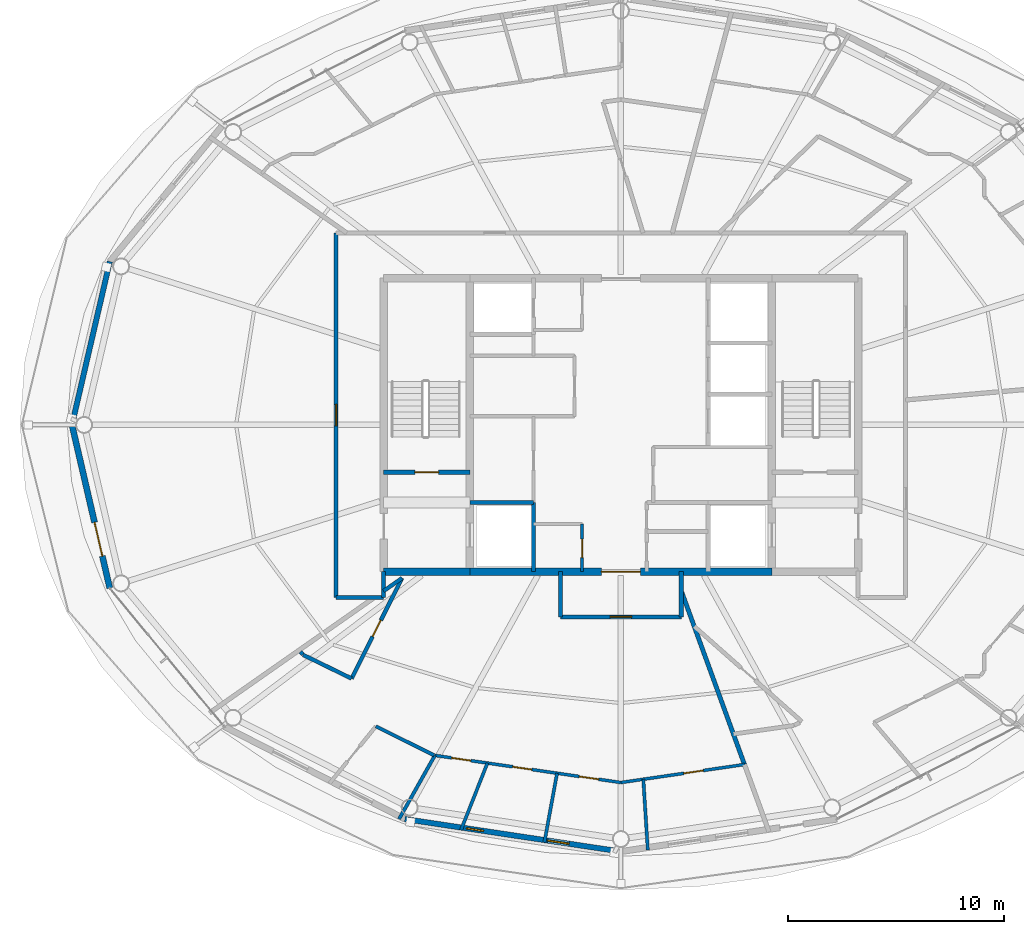
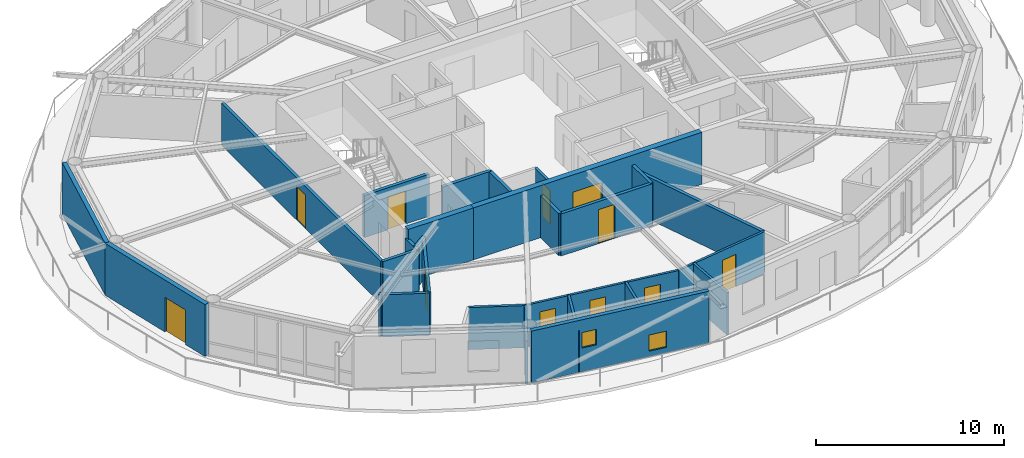
# One storey, part 16 of 23: 27 walls, 11 doors, 2 windows, 13 openings.
"""IFC4 building model written with IfcOpenShell, lengths in metres."""

from ifc_helpers import new_model, si_unit, direction, frame, frame_2d, origin, place, context, subcontext, project, spatial, rectangle, extrude, material, layer, layer_set, type_object, element, fill, save


model = new_model("IFC4")

# Units and contexts
model_context = context("Model", 3, precision=1e-05, world=origin(), true_north=direction((0.0, 1.0)))
body_context = subcontext(model_context, "Body", "Model", "MODEL_VIEW")
ifc_project = project(units=[si_unit("LENGTHUNIT", "METRE"), si_unit("AREAUNIT", "SQUARE_METRE"), si_unit("VOLUMEUNIT", "CUBIC_METRE"), si_unit("PLANEANGLEUNIT", "RADIAN"), si_unit("MASSUNIT", "GRAM", prefix="KILO")], contexts=[model_context])

# Site, building, storey
site_placement = place(None, origin())
site = spatial("IfcSite", under=ifc_project, at=site_placement, CompositionType="ELEMENT")
building_placement = place(site_placement, origin())
building = spatial("IfcBuilding", under=site, at=building_placement, Name="Sarneth Arch Tower", CompositionType="ELEMENT")
storey_placement = place(building_placement, frame((0.0, 0.0, 273.0)))
storey = spatial("IfcBuildingStorey", under=building, at=storey_placement, Name="L70", CompositionType="ELEMENT", Elevation=273.0)

# Wall
ifc_material_1 = material(Name="Concrete C50/60", Category="concrete")
ifc_layer_1 = layer(ifc_material_1, 0.35009765625)
ifc_layer_set_1 = layer_set([ifc_layer_1], Name="Concrete C50/60")
wall_type_1 = type_object("IfcWallType", Name="WALL-CORE-350", PredefinedType="SHEAR", material=ifc_layer_set_1)
wall_1_placement = place(storey_placement, frame((37.0, 35.199951171875, 0.0), z_axis=(0.0, 0.0, 1.0), x_axis=(1.0, 0.0, 0.0)))
element("IfcWall", 1, at=wall_1_placement, inside=storey, type_object=wall_type_1, Name="L70 Core shear wall S-W", PredefinedType="SHEAR", context=body_context, shape_type="SweptSolid", body=[
    extrude(rectangle(XDim=4.0, YDim=0.35009765625, at=frame_2d((2.0, 0.0))), origin(), (0.0, 0.0, 1.0), 3.3701171875),
])

# Wall, opening, door
wall_2_placement = place(storey_placement, frame((41.0, 35.199951171875, 0.0), z_axis=(0.0, 0.0, 1.0), x_axis=(1.0, 0.0, 0.0)))
wall_2 = element("IfcWall", 2, at=wall_2_placement, inside=storey, type_object=wall_type_1, Name="L70 Core shear wall S-M", PredefinedType="SHEAR", context=body_context, shape_type="SweptSolid", body=[
    extrude(rectangle(XDim=14.0, YDim=0.35009765625, at=frame_2d((7.0, 0.0))), origin(), (0.0, 0.0, 1.0), 3.3701171875),
])
opening_1_placement = place(wall_2_placement, frame((6.10009765625, 0.0, 0.0)))
opening_1 = element("IfcOpeningElement", 3, at=opening_1_placement, cuts=wall_2, Name="Opening FD-01", PredefinedType="OPENING", context=body_context, shape_type="SweptSolid", body=[
    extrude(rectangle(XDim=1.800048828125, YDim=2.25, at=frame_2d((0.89990234375, 1.125))), frame((0.0, 0.18505859375, 0.0), z_axis=(0.0, -1.0, 0.0), x_axis=(1.0, 0.0, 0.0)), (0.0, 0.0, 1.0), 0.3701171875),
])
ifc_material_2 = material(Name="Galvanised Steel S275 fire door set", Category="steel")
door_type_1 = type_object("IfcDoorType", Name="DR-FD90-1800", OperationType="DOUBLE_DOOR_SINGLE_SWING", PredefinedType="DOOR", material=ifc_material_2)
door_1_placement = place(opening_1_placement, origin())
door_1 = element("IfcDoor", 4, at=door_1_placement, inside=storey, type_object=door_type_1, Name="L70 Central lift lobby south door", OperationType="DOUBLE_DOOR_SINGLE_SWING", OverallHeight=2.25, OverallWidth=1.800048828125, PredefinedType="DOOR", context=body_context, shape_type="SweptSolid", body=[
    extrude(rectangle(XDim=1.800048828125, YDim=2.25, at=frame_2d((0.89990234375, 1.125))), frame((0.0, 0.02490234375, 0.0), z_axis=(0.0, -1.0, 0.0), x_axis=(1.0, 0.0, 0.0)), (0.0, 0.0, 1.0), 0.050048828125),
])
fill(opening_1, door_1)

ifc_material_3 = material(Name="Double steel-stud corridor fire wall", Category="steel")
ifc_layer_2 = layer(ifc_material_3, 0.18994140625)
ifc_layer_set_2 = layer_set([ifc_layer_2], Name="Double steel-stud corridor fire wall")
wall_type_2 = type_object("IfcWallType", Name="WALL-CORR-190", PredefinedType="PARTITIONING", material=ifc_layer_set_2)
wall_3_placement = place(storey_placement, frame((34.800048828125, 34.0, 0.0), z_axis=(0.0, 0.0, 1.0), x_axis=(0.0, 1.0, 0.0)))
wall_3 = element("IfcWall", 5, at=wall_3_placement, inside=storey, type_object=wall_type_2, Name="L70 Interior partition W-L70-TP-008", PredefinedType="PARTITIONING", context=body_context, shape_type="SweptSolid", body=[
    extrude(rectangle(XDim=16.89990234375, YDim=0.18994140625, at=frame_2d((8.449951171875, 0.0))), origin(), (0.0, 0.0, 1.0), 2.72998046875),
])
opening_2_placement = place(wall_3_placement, frame((7.949951171875, 0.0, 0.0)))
opening_2 = element("IfcOpeningElement", 6, at=opening_2_placement, cuts=wall_3, Name="Opening FD-08", PredefinedType="OPENING", context=body_context, shape_type="SweptSolid", body=[
    extrude(rectangle(XDim=1.0, YDim=2.199951171875, at=frame_2d((0.5, 1.10009765625))), frame((0.0, 0.10498046875, 0.0), z_axis=(0.0, -1.0, 0.0), x_axis=(1.0, 0.0, 0.0)), (0.0, 0.0, 1.0), 0.2099609375),
])
ifc_material_4 = material(Name="Hardwood timber acoustic fire door", Category="wood")
door_type_2 = type_object("IfcDoorType", Name="DR-FD60-1000", OperationType="SINGLE_SWING_LEFT", PredefinedType="DOOR", material=ifc_material_4)
door_2_placement = place(opening_2_placement, origin())
door_2 = element("IfcDoor", 7, at=door_2_placement, inside=storey, type_object=door_type_2, Name="L70 Interior door DR-L70-RAMN-03", OperationType="SINGLE_SWING_LEFT", OverallHeight=2.199951171875, OverallWidth=1.0, PredefinedType="DOOR", context=body_context, shape_type="SweptSolid", body=[
    extrude(rectangle(XDim=1.0, YDim=2.199951171875, at=frame_2d((0.5, 1.10009765625))), frame((0.0, 0.02490234375, 0.0), z_axis=(0.0, -1.0, 0.0), x_axis=(1.0, 0.0, 0.0)), (0.0, 0.0, 1.0), 0.050048828125),
])
fill(opening_2, door_2)

wall_4_placement = place(storey_placement, frame((50.800048828125, 33.10009765625, 0.0), z_axis=(0.0, 0.0, 1.0), x_axis=(-1.0, 0.0, 0.0)))
wall_4 = element("IfcWall", 8, at=wall_4_placement, inside=storey, type_object=wall_type_2, Name="L70 Interior partition W-L70-TP-016", PredefinedType="PARTITIONING", context=body_context, shape_type="SweptSolid", body=[
    extrude(rectangle(XDim=5.60009765625, YDim=0.18994140625, at=frame_2d((2.800048828125, 0.0))), origin(), (0.0, 0.0, 1.0), 2.72998046875),
])
opening_3_placement = place(wall_4_placement, frame((2.300048828125, 0.0, 0.0)))
opening_3 = element("IfcOpeningElement", 9, at=opening_3_placement, cuts=wall_4, Name="Opening FD-08", PredefinedType="OPENING", context=body_context, shape_type="SweptSolid", body=[
    extrude(rectangle(XDim=1.0, YDim=2.199951171875, at=frame_2d((0.5, 1.10009765625))), frame((0.0, 0.10498046875, 0.0), z_axis=(0.0, -1.0, 0.0), x_axis=(1.0, 0.0, 0.0)), (0.0, 0.0, 1.0), 0.2099609375),
])
door_3_placement = place(opening_3_placement, origin())
door_3 = element("IfcDoor", 10, at=door_3_placement, inside=storey, type_object=door_type_2, Name="L70 Interior door DR-L70-U4-ENT", OperationType="SINGLE_SWING_LEFT", OverallHeight=2.199951171875, OverallWidth=1.0, PredefinedType="DOOR", context=body_context, shape_type="SweptSolid", body=[
    extrude(rectangle(XDim=1.0, YDim=2.199951171875, at=frame_2d((0.5, 1.10009765625))), frame((0.0, 0.02490234375, 0.0), z_axis=(0.0, -1.0, 0.0), x_axis=(1.0, 0.0, 0.0)), (0.0, 0.0, 1.0), 0.050048828125),
])
fill(opening_3, door_3)

# Walls
wall_5_placement = place(storey_placement, frame((45.199951171875, 33.10009765625, 0.0), z_axis=(0.0, 0.0, 1.0), x_axis=(0.0, 1.0, 0.0)))
element("IfcWall", 11, at=wall_5_placement, inside=storey, type_object=wall_type_2, Name="L70 Interior partition W-L70-TP-017", PredefinedType="PARTITIONING", context=body_context, shape_type="SweptSolid", body=[
    extrude(rectangle(XDim=2.099853515625, YDim=0.18994140625, at=frame_2d((1.0498046875, 0.0))), origin(), (0.0, 0.0, 1.0), 2.72998046875),
])
wall_6_placement = place(storey_placement, frame((37.0, 34.0, 0.0), z_axis=(0.0, 0.0, 1.0), x_axis=(-1.0, 0.0, 0.0)))
element("IfcWall", 12, at=wall_6_placement, inside=storey, type_object=wall_type_2, Name="L70 Interior partition W-L70-TP-007", PredefinedType="PARTITIONING", context=body_context, shape_type="SweptSolid", body=[
    extrude(rectangle(XDim=2.199951171875, YDim=0.18994140625, at=frame_2d((1.10009765625, 0.0))), origin(), (0.0, 0.0, 1.0), 2.72998046875),
])
wall_7_placement = place(storey_placement, frame((50.800048828125, 35.199951171875, 0.0), z_axis=(0.0, 0.0, 1.0), x_axis=(0.0, -1.0, 0.0)))
element("IfcWall", 13, at=wall_7_placement, inside=storey, type_object=wall_type_2, Name="L70 Interior partition W-L70-TP-015", PredefinedType="PARTITIONING", context=body_context, shape_type="SweptSolid", body=[
    extrude(rectangle(XDim=2.099853515625, YDim=0.18994140625, at=frame_2d((1.0498046875, 0.0))), origin(), (0.0, 0.0, 1.0), 2.72998046875),
])
wall_8_placement = place(storey_placement, frame((37.0, 35.199951171875, 0.0), z_axis=(0.0, 0.0, 1.0), x_axis=(0.0, -1.0, 0.0)))
element("IfcWall", 14, at=wall_8_placement, inside=storey, type_object=wall_type_2, Name="L70 Interior partition W-L70-TP-098", PredefinedType="PARTITIONING", context=body_context, shape_type="SweptSolid", body=[
    extrude(rectangle(XDim=1.199951171875, YDim=0.18994140625, at=frame_2d((0.60009765625, 0.0))), origin(), (0.0, 0.0, 1.0), 2.72998046875),
])
ifc_material_5 = material(Name="Extruded terracotta rainscreen on Concrete C40/50 backing", Category="masonry")
ifc_layer_3 = layer(ifc_material_5, 0.25)
ifc_layer_set_3 = layer_set([ifc_layer_3], Name="Extruded terracotta rainscreen on Concrete C40/50 backing")
wall_type_3 = type_object("IfcWallType", Name="WALL-EXT-SPAND-250", PredefinedType="SOLIDWALL", material=ifc_layer_set_3)
wall_9_placement = place(storey_placement, frame((24.30615234375, 49.569580078125, 0.0), z_axis=(0.0, 0.0, 1.0), x_axis=(-0.225635078214, -0.974211892495, 0.0)))
element("IfcWall", 15, at=wall_9_placement, inside=storey, type_object=wall_type_3, Name="L70 Terracotta perimeter wall 08", PredefinedType="SOLIDWALL", context=body_context, shape_type="SweptSolid", body=[
    extrude(rectangle(XDim=7.77001953125, YDim=0.25, at=frame_2d((3.885009765625, 0.0))), origin(), (0.0, 0.0, 1.0), 3.3701171875),
])

# Wall, openings, windows
wall_10_placement = place(storey_placement, frame((37.9873046875, 23.7255859375, 0.0), z_axis=(0.0, 0.0, 1.0), x_axis=(0.988882522213, -0.148698881169, 0.0)))
wall_10 = element("IfcWall", 16, at=wall_10_placement, inside=storey, type_object=wall_type_3, Name="L70 Terracotta perimeter wall 12", PredefinedType="SOLIDWALL", context=body_context, shape_type="SweptSolid", body=[
    extrude(rectangle(XDim=10.125244140625, YDim=0.25, at=frame_2d((5.0625, 0.0))), origin(), (0.0, 0.0, 1.0), 3.3701171875),
])
opening_4_placement = place(wall_10_placement, frame((2.884765625, 0.0, 1.5400390625)))
opening_4 = element("IfcOpeningElement", 17, at=opening_4_placement, cuts=wall_10, Name="Opening W-15", PredefinedType="OPENING", context=body_context, shape_type="SweptSolid", body=[
    extrude(rectangle(XDim=0.800048828125, YDim=1.0, at=frame_2d((0.39990234375, 0.5))), frame((0.0, 0.135009765625, 0.0), z_axis=(0.0, -1.0, 0.0), x_axis=(1.0, 0.0, 0.0)), (0.0, 0.0, 1.0), 0.27001953125),
])
opening_5_placement = place(wall_10_placement, frame((6.69580078125, 0.0, 0.35009765625)))
opening_5 = element("IfcOpeningElement", 18, at=opening_5_placement, cuts=wall_10, Name="Opening W-14", PredefinedType="OPENING", context=body_context, shape_type="SweptSolid", body=[
    extrude(rectangle(XDim=1.0, YDim=1.050048828125, at=frame_2d((0.5, 0.52490234375))), frame((0.0, 0.135009765625, 0.0), z_axis=(0.0, -1.0, 0.0), x_axis=(1.0, 0.0, 0.0)), (0.0, 0.0, 1.0), 0.27001953125),
])
ifc_material_6 = material(Name="Thermally broken Aluminium 6063-T6 and low-e laminated IGU", Category="aluminium")
window_type_1 = type_object("IfcWindowType", Name="WIN-TWR-1000x1050", PartitioningType="SINGLE_PANEL", PredefinedType="WINDOW", material=ifc_material_6)
window_1_placement = place(opening_5_placement, origin())
window_1 = element("IfcWindow", 19, at=window_1_placement, inside=storey, type_object=window_type_1, Name="L70 Dwelling bedroom window 04", OverallHeight=1.050048828125, OverallWidth=1.0, PartitioningType="SINGLE_PANEL", PredefinedType="WINDOW", context=body_context, shape_type="SweptSolid", body=[
    extrude(rectangle(XDim=1.0, YDim=1.050048828125, at=frame_2d((0.5, 0.52490234375))), frame((0.0, 0.030029296875, 0.0), z_axis=(0.0, -1.0, 0.0), x_axis=(1.0, 0.0, 0.0)), (0.0, 0.0, 1.0), 0.06005859375),
])
fill(opening_5, window_1)
ifc_material_7 = material(Name="Thermally broken Aluminium 6063-T6 and low-e laminated IGU", Category="aluminium")
window_type_2 = type_object("IfcWindowType", Name="WIN-TWR-800x1000", PartitioningType="SINGLE_PANEL", PredefinedType="WINDOW", material=ifc_material_7)
window_2_placement = place(opening_4_placement, origin())
window_2 = element("IfcWindow", 20, at=window_2_placement, inside=storey, type_object=window_type_2, Name="L70 Dwelling bedroom window 03", OverallHeight=1.0, OverallWidth=0.800048828125, PartitioningType="SINGLE_PANEL", PredefinedType="WINDOW", context=body_context, shape_type="SweptSolid", body=[
    extrude(rectangle(XDim=0.800048828125, YDim=1.0, at=frame_2d((0.39990234375, 0.5))), frame((0.0, 0.030029296875, 0.0), z_axis=(0.0, -1.0, 0.0), x_axis=(1.0, 0.0, 0.0)), (0.0, 0.0, 1.0), 0.06005859375),
])
fill(opening_4, window_2)

# Wall, opening, door
ifc_material_8 = material(Name="Extruded terracotta rainscreen on Concrete C40/50 backing", Category="masonry")
ifc_layer_4 = layer(ifc_material_8, 0.280029296875)
ifc_layer_set_4 = layer_set([ifc_layer_4], Name="Extruded terracotta rainscreen on Concrete C40/50 backing")
wall_type_4 = type_object("IfcWallType", Name="WALL-EXT-TERRA-280", PredefinedType="SOLIDWALL", material=ifc_layer_set_4)
wall_11_placement = place(storey_placement, frame((22.552978515625, 42.0, 0.0), z_axis=(0.0, 0.0, 1.0), x_axis=(0.225635078214, -0.974211892495, 0.0)))
wall_11 = element("IfcWall", 21, at=wall_11_placement, inside=storey, type_object=wall_type_4, Name="L70 Terracotta perimeter wall 09", PredefinedType="SOLIDWALL", context=body_context, shape_type="SweptSolid", body=[
    extrude(rectangle(XDim=7.77001953125, YDim=0.280029296875, at=frame_2d((3.885009765625, 0.0))), origin(), (0.0, 0.0, 1.0), 3.3701171875),
])
opening_6_placement = place(wall_11_placement, frame((4.64208984375, 0.0, 0.0)))
opening_6 = element("IfcOpeningElement", 22, at=opening_6_placement, cuts=wall_11, Name="Opening BD-1", PredefinedType="OPENING", context=body_context, shape_type="SweptSolid", body=[
    extrude(rectangle(XDim=1.60009765625, YDim=2.25, at=frame_2d((0.800048828125, 1.125))), frame((0.0, 0.14990234375, 0.0), z_axis=(0.0, -1.0, 0.0), x_axis=(1.0, 0.0, 0.0)), (0.0, 0.0, 1.0), 0.300048828125),
])
ifc_material_9 = material(Name="Thermally broken Aluminium 6063-T6 and laminated safety glass", Category="aluminium")
door_type_3 = type_object("IfcDoorType", Name="DR-BALC-GLZ-1600", OperationType="DOUBLE_DOOR_SINGLE_SWING", PredefinedType="DOOR", material=ifc_material_9)
door_4_placement = place(opening_6_placement, origin())
door_4 = element("IfcDoor", 23, at=door_4_placement, inside=storey, type_object=door_type_3, Name="L70 Balcony glazed door 09", OperationType="DOUBLE_DOOR_SINGLE_SWING", OverallHeight=2.25, OverallWidth=1.60009765625, PredefinedType="DOOR", context=body_context, shape_type="SweptSolid", body=[
    extrude(rectangle(XDim=1.60009765625, YDim=2.25, at=frame_2d((0.800048828125, 1.125))), frame((0.0, 0.02490234375, 0.0), z_axis=(0.0, -1.0, 0.0), x_axis=(1.0, 0.0, 0.0)), (0.0, 0.0, 1.0), 0.050048828125),
])
fill(opening_6, door_4)

ifc_material_10 = material(Name="Apartment internal stud partition", Category="gypsum")
ifc_layer_5 = layer(ifc_material_10, 0.139892578125)
ifc_layer_set_5 = layer_set([ifc_layer_5], Name="Apartment internal stud partition")
wall_type_5 = type_object("IfcWallType", Name="WALL-PART-140", PredefinedType="PARTITIONING", material=ifc_layer_set_5)
wall_12_placement = place(storey_placement, frame((53.73046875, 26.255615234375, 0.0), z_axis=(0.0, 0.0, 1.0), x_axis=(-0.989539000253, -0.144265612597, 0.0)))
wall_12 = element("IfcWall", 24, at=wall_12_placement, inside=storey, type_object=wall_type_5, Name="L70 Interior partition W-L70-TP-072", PredefinedType="PARTITIONING", context=body_context, shape_type="SweptSolid", body=[
    extrude(rectangle(XDim=5.791015625, YDim=0.139892578125, at=frame_2d((2.8955078125, 0.0))), origin(), (0.0, 0.0, 1.0), 2.72998046875),
])
opening_7_placement = place(wall_12_placement, frame((1.93603515625, 0.0, 0.0)))
opening_7 = element("IfcOpeningElement", 25, at=opening_7_placement, cuts=wall_12, Name="Opening ID-01", PredefinedType="OPENING", context=body_context, shape_type="SweptSolid", body=[
    extrude(rectangle(XDim=0.89990234375, YDim=2.10009765625, at=frame_2d((0.449951171875, 1.050048828125))), frame((0.0, 0.079833984375, 0.0), z_axis=(0.0, -1.0, 0.0), x_axis=(1.0, 0.0, 0.0)), (0.0, 0.0, 1.0), 0.159912109375),
])
ifc_material_11 = material(Name="Engineered hardwood flush door", Category="wood")
door_type_4 = type_object("IfcDoorType", Name="DR-INT-900", OperationType="SINGLE_SWING_LEFT", PredefinedType="DOOR", material=ifc_material_11)
door_5_placement = place(opening_7_placement, origin())
door_5 = element("IfcDoor", 26, at=door_5_placement, inside=storey, type_object=door_type_4, Name="L70 Interior door DR-L70-U4-BED3", OperationType="SINGLE_SWING_RIGHT", OverallHeight=2.10009765625, OverallWidth=0.89990234375, PredefinedType="DOOR", context=body_context, shape_type="SweptSolid", body=[
    extrude(rectangle(XDim=0.89990234375, YDim=2.10009765625, at=frame_2d((0.449951171875, 1.050048828125))), frame((0.0, 0.02490234375, 0.0), z_axis=(0.0, -1.0, 0.0), x_axis=(1.0, 0.0, 0.0)), (0.0, 0.0, 1.0), 0.050048828125),
])
fill(opening_7, door_5)

# Wall, openings, doors
wall_13_placement = place(storey_placement, frame((48.0, 25.419921875, 0.0), z_axis=(0.0, 0.0, 1.0), x_axis=(-0.989534564718, 0.144296033307, 0.0)))
wall_13 = element("IfcWall", 27, at=wall_13_placement, inside=storey, type_object=wall_type_5, Name="L70 Interior partition W-L70-TP-069", PredefinedType="PARTITIONING", context=body_context, shape_type="SweptSolid", body=[
    extrude(rectangle(XDim=8.713623046875, YDim=0.139892578125, at=frame_2d((4.35693359375, 0.0))), origin(), (0.0, 0.0, 1.0), 2.72998046875),
])
opening_8_placement = place(wall_13_placement, frame((4.1708984375, 0.0, 0.0)))
opening_8 = element("IfcOpeningElement", 28, at=opening_8_placement, cuts=wall_13, Name="Opening ID-01", PredefinedType="OPENING", context=body_context, shape_type="SweptSolid", body=[
    extrude(rectangle(XDim=0.89990234375, YDim=2.10009765625, at=frame_2d((0.449951171875, 1.050048828125))), frame((0.0, 0.079833984375, 0.0), z_axis=(0.0, -1.0, 0.0), x_axis=(1.0, 0.0, 0.0)), (0.0, 0.0, 1.0), 0.159912109375),
])
opening_9_placement = place(wall_13_placement, frame((1.044677734375, 0.0, 0.0)))
opening_9 = element("IfcOpeningElement", 29, at=opening_9_placement, cuts=wall_13, Name="Opening ID-01", PredefinedType="OPENING", context=body_context, shape_type="SweptSolid", body=[
    extrude(rectangle(XDim=0.89990234375, YDim=2.10009765625, at=frame_2d((0.449951171875, 1.050048828125))), frame((0.0, 0.079833984375, 0.0), z_axis=(0.0, -1.0, 0.0), x_axis=(1.0, 0.0, 0.0)), (0.0, 0.0, 1.0), 0.159912109375),
])
opening_10_placement = place(wall_13_placement, frame((7.03271484375, 0.0, 0.0)))
opening_10 = element("IfcOpeningElement", 30, at=opening_10_placement, cuts=wall_13, Name="Opening ID-01", PredefinedType="OPENING", context=body_context, shape_type="SweptSolid", body=[
    extrude(rectangle(XDim=0.89990234375, YDim=2.10009765625, at=frame_2d((0.449951171875, 1.050048828125))), frame((0.0, 0.079833984375, 0.0), z_axis=(0.0, -1.0, 0.0), x_axis=(1.0, 0.0, 0.0)), (0.0, 0.0, 1.0), 0.159912109375),
])
door_6_placement = place(opening_8_placement, origin())
door_6 = element("IfcDoor", 31, at=door_6_placement, inside=storey, type_object=door_type_4, Name="L70 Interior door DR-L70-U4-BED1", OperationType="SINGLE_SWING_LEFT", OverallHeight=2.10009765625, OverallWidth=0.89990234375, PredefinedType="DOOR", context=body_context, shape_type="SweptSolid", body=[
    extrude(rectangle(XDim=0.89990234375, YDim=2.10009765625, at=frame_2d((0.449951171875, 1.050048828125))), frame((0.0, 0.02490234375, 0.0), z_axis=(0.0, -1.0, 0.0), x_axis=(1.0, 0.0, 0.0)), (0.0, 0.0, 1.0), 0.050048828125),
])
fill(opening_8, door_6)
door_7_placement = place(opening_9_placement, origin())
door_7 = element("IfcDoor", 32, at=door_7_placement, inside=storey, type_object=door_type_4, Name="L70 Interior door DR-L70-U4-BED2", OperationType="SINGLE_SWING_RIGHT", OverallHeight=2.10009765625, OverallWidth=0.89990234375, PredefinedType="DOOR", context=body_context, shape_type="SweptSolid", body=[
    extrude(rectangle(XDim=0.89990234375, YDim=2.10009765625, at=frame_2d((0.449951171875, 1.050048828125))), frame((0.0, 0.02490234375, 0.0), z_axis=(0.0, -1.0, 0.0), x_axis=(1.0, 0.0, 0.0)), (0.0, 0.0, 1.0), 0.050048828125),
])
fill(opening_9, door_7)
door_8_placement = place(opening_10_placement, origin())
door_8 = element("IfcDoor", 33, at=door_8_placement, inside=storey, type_object=door_type_4, Name="L70 Interior door DR-L70-U4-STD", OperationType="SINGLE_SWING_LEFT", OverallHeight=2.10009765625, OverallWidth=0.89990234375, PredefinedType="DOOR", context=body_context, shape_type="SweptSolid", body=[
    extrude(rectangle(XDim=0.89990234375, YDim=2.10009765625, at=frame_2d((0.449951171875, 1.050048828125))), frame((0.0, 0.02490234375, 0.0), z_axis=(0.0, -1.0, 0.0), x_axis=(1.0, 0.0, 0.0)), (0.0, 0.0, 1.0), 0.050048828125),
])
fill(opening_10, door_8)

# Wall, opening, door
ifc_material_12 = material(Name="Acoustic gypsum stud partition", Category="gypsum")
ifc_layer_6 = layer(ifc_material_12, 0.14990234375)
ifc_layer_set_6 = layer_set([ifc_layer_6], Name="Acoustic gypsum stud partition")
wall_type_6 = type_object("IfcWallType", Name="WALL-PART-150", PredefinedType="PARTITIONING", material=ifc_layer_set_6)
wall_14_placement = place(storey_placement, frame((46.199951171875, 35.199951171875, 0.0), z_axis=(0.0, 0.0, 1.0), x_axis=(0.0, 1.0, 0.0)))
wall_14 = element("IfcWall", 34, at=wall_14_placement, inside=storey, type_object=wall_type_6, Name="L70 Interior partition W-L70-CSUP1-E", PredefinedType="PARTITIONING", context=body_context, shape_type="SweptSolid", body=[
    extrude(rectangle(XDim=2.199951171875, YDim=0.14990234375, at=frame_2d((1.10009765625, 0.0))), origin(), (0.0, 0.0, 1.0), 2.72998046875),
])
opening_11_placement = place(wall_14_placement, frame((0.64990234375, 0.0, 0.0)))
opening_11 = element("IfcOpeningElement", 35, at=opening_11_placement, cuts=wall_14, Name="Opening FD-11", PredefinedType="OPENING", context=body_context, shape_type="SweptSolid", body=[
    extrude(rectangle(XDim=0.85009765625, YDim=2.14990234375, at=frame_2d((0.425048828125, 1.074951171875))), frame((0.0, 0.0849609375, 0.0), z_axis=(0.0, -1.0, 0.0), x_axis=(1.0, 0.0, 0.0)), (0.0, 0.0, 1.0), 0.169921875),
])
ifc_material_13 = material(Name="Galvanised Steel S275 closet fire door", Category="steel")
door_type_5 = type_object("IfcDoorType", Name="DR-FD60-850", OperationType="SINGLE_SWING_LEFT", PredefinedType="DOOR", material=ifc_material_13)
door_9_placement = place(opening_11_placement, origin())
door_9 = element("IfcDoor", 36, at=door_9_placement, inside=storey, type_object=door_type_5, Name="L70 Interior door DR-L70-CSUP1", OperationType="SINGLE_SWING_LEFT", OverallHeight=2.14990234375, OverallWidth=0.85009765625, PredefinedType="DOOR", context=body_context, shape_type="SweptSolid", body=[
    extrude(rectangle(XDim=0.85009765625, YDim=2.14990234375, at=frame_2d((0.425048828125, 1.074951171875))), frame((0.0, 0.02490234375, 0.0), z_axis=(0.0, -1.0, 0.0), x_axis=(1.0, 0.0, 0.0)), (0.0, 0.0, 1.0), 0.050048828125),
])
fill(opening_11, door_9)

# Walls
wall_15_placement = place(storey_placement, frame((41.813232421875, 26.322265625, 0.0), z_axis=(0.0, 0.0, 1.0), x_axis=(-0.366986730156, -0.930226176738, 0.0)))
element("IfcWall", 37, at=wall_15_placement, inside=storey, type_object=wall_type_6, Name="L70 Interior partition W-L70-TP-077", PredefinedType="PARTITIONING", context=body_context, shape_type="SweptSolid", body=[
    extrude(rectangle(XDim=3.3388671875, YDim=0.14990234375, at=frame_2d((1.66943359375, 0.0))), origin(), (0.0, 0.0, 1.0), 2.72998046875),
])
wall_16_placement = place(storey_placement, frame((49.040283203125, 25.57177734375, 0.0), z_axis=(0.0, 0.0, 1.0), x_axis=(0.063195614113, -0.998001159497, 0.0)))
element("IfcWall", 38, at=wall_16_placement, inside=storey, type_object=wall_type_6, Name="L70 Interior partition W-L70-TP-079", PredefinedType="PARTITIONING", context=body_context, shape_type="SweptSolid", body=[
    extrude(rectangle(XDim=3.29150390625, YDim=0.14990234375, at=frame_2d((1.645751953125, 0.0))), origin(), (0.0, 0.0, 1.0), 2.72998046875),
])
wall_17_placement = place(storey_placement, frame((44.452392578125, 22.632080078125, 0.0), z_axis=(0.0, 0.0, 1.0), x_axis=(0.180152248802, 0.983638738182, 0.0)))
element("IfcWall", 39, at=wall_17_placement, inside=storey, type_object=wall_type_6, Name="L70 Interior partition W-L70-TP-078", PredefinedType="PARTITIONING", context=body_context, shape_type="SweptSolid", body=[
    extrude(rectangle(XDim=3.272705078125, YDim=0.14990234375, at=frame_2d((1.63623046875, 0.0))), origin(), (0.0, 0.0, 1.0), 2.72998046875),
])
ifc_material_14 = material(Name="Kitchen wet service chase wall", Category="gypsum")
ifc_layer_7 = layer(ifc_material_14, 0.159912109375)
ifc_layer_set_7 = layer_set([ifc_layer_7], Name="Kitchen wet service chase wall")
wall_type_7 = type_object("IfcWallType", Name="WALL-PLUMB-160", PredefinedType="PLUMBINGWALL", material=ifc_layer_set_7)
wall_18_placement = place(storey_placement, frame((37.718505859375, 23.728759765625, 0.0), z_axis=(0.0, 0.0, 1.0), x_axis=(0.490408553136, 0.871492656889, 0.0)))
element("IfcWall", 40, at=wall_18_placement, inside=storey, type_object=wall_type_7, Name="L70 Interior partition W-L70-TP-076", PredefinedType="PLUMBINGWALL", context=body_context, shape_type="SweptSolid", body=[
    extrude(rectangle(XDim=3.38330078125, YDim=0.159912109375, at=frame_2d((1.691650390625, 0.0))), origin(), (0.0, 0.0, 1.0), 2.72998046875),
])
wall_19_placement = place(storey_placement, frame((39.34521484375, 26.68212890625, 0.0), z_axis=(0.0, 0.0, 1.0), x_axis=(-0.895589359885, 0.44488166793, 0.0)))
element("IfcWall", 41, at=wall_19_placement, inside=storey, type_object=wall_type_7, Name="L70 Interior partition W-L70-TP-064", PredefinedType="PLUMBINGWALL", context=body_context, shape_type="SweptSolid", body=[
    extrude(rectangle(XDim=3.01708984375, YDim=0.159912109375, at=frame_2d((1.508544921875, 0.0))), origin(), (0.0, 0.0, 1.0), 2.72998046875),
])

# Wall, opening, door
ifc_material_15 = material(Name="Moisture-resistant plumbing chase wall", Category="gypsum")
ifc_layer_8 = layer(ifc_material_15, 0.179931640625)
ifc_layer_set_8 = layer_set([ifc_layer_8], Name="Moisture-resistant plumbing chase wall")
wall_type_8 = type_object("IfcWallType", Name="WALL-PLUMB-180", PredefinedType="PLUMBINGWALL", material=ifc_layer_set_8)
wall_20_placement = place(storey_placement, frame((37.854736328125, 34.896240234375, 0.0), z_axis=(0.0, 0.0, 1.0), x_axis=(-0.449274589412, -0.893393722447, 0.0)))
wall_20 = element("IfcWall", 42, at=wall_20_placement, inside=storey, type_object=wall_type_8, Name="L70 Interior partition W-L70-TP-066", PredefinedType="PLUMBINGWALL", context=body_context, shape_type="SweptSolid", body=[
    extrude(rectangle(XDim=5.209228515625, YDim=0.179931640625, at=frame_2d((2.6044921875, 0.0))), origin(), (0.0, 0.0, 1.0), 2.72998046875),
])
opening_12_placement = place(wall_20_placement, frame((2.1796875, 0.0, 0.0)))
opening_12 = element("IfcOpeningElement", 43, at=opening_12_placement, cuts=wall_20, Name="Opening ID-02", PredefinedType="OPENING", context=body_context, shape_type="SweptSolid", body=[
    extrude(rectangle(XDim=0.85009765625, YDim=2.10009765625, at=frame_2d((0.425048828125, 1.050048828125))), frame((0.0, 0.099853515625, 0.0), z_axis=(0.0, -1.0, 0.0), x_axis=(1.0, 0.0, 0.0)), (0.0, 0.0, 1.0), 0.199951171875),
])
ifc_material_16 = material(Name="Moisture-resistant bathroom timber door", Category="wood")
door_type_6 = type_object("IfcDoorType", Name="DR-INT-850", OperationType="SINGLE_SWING_RIGHT", PredefinedType="DOOR", material=ifc_material_16)
door_10_placement = place(opening_12_placement, origin())
door_10 = element("IfcDoor", 44, at=door_10_placement, inside=storey, type_object=door_type_6, Name="L70 Interior door DR-L70-U4-BATH", OperationType="SINGLE_SWING_RIGHT", OverallHeight=2.10009765625, OverallWidth=0.85009765625, PredefinedType="DOOR", context=body_context, shape_type="SweptSolid", body=[
    extrude(rectangle(XDim=0.85009765625, YDim=2.10009765625, at=frame_2d((0.425048828125, 1.050048828125))), frame((0.0, 0.02490234375, 0.0), z_axis=(0.0, -1.0, 0.0), x_axis=(1.0, 0.0, 0.0)), (0.0, 0.0, 1.0), 0.050048828125),
])
fill(opening_12, door_10)

# Walls
wall_21_placement = place(storey_placement, frame((35.514404296875, 30.242431640625, 0.0), z_axis=(0.0, 0.0, 1.0), x_axis=(-0.898915857852, 0.438121307975, 0.0)))
element("IfcWall", 45, at=wall_21_placement, inside=storey, type_object=wall_type_8, Name="L70 Interior partition W-L70-TP-067", PredefinedType="PLUMBINGWALL", context=body_context, shape_type="SweptSolid", body=[
    extrude(rectangle(XDim=2.498046875, YDim=0.179931640625, at=frame_2d((1.2490234375, 0.0))), origin(), (0.0, 0.0, 1.0), 2.72998046875),
])
wall_22_placement = place(storey_placement, frame((37.0, 34.297607421875, 0.0), z_axis=(0.0, 0.0, 1.0), x_axis=(0.81908900763, 0.573666451502, 0.0)))
element("IfcWall", 46, at=wall_22_placement, inside=storey, type_object=wall_type_8, Name="L70 Interior partition W-L70-TP-099", PredefinedType="PLUMBINGWALL", context=body_context, shape_type="SweptSolid", body=[
    extrude(rectangle(XDim=1.04345703125, YDim=0.179931640625, at=frame_2d((0.521728515625, 0.0))), origin(), (0.0, 0.0, 1.0), 2.72998046875),
])
wall_23_placement = place(storey_placement, frame((33.2529296875, 31.35498046875, 0.0), z_axis=(0.0, 0.0, 1.0), x_axis=(-0.656323784366, 0.754479350331, 0.0)))
element("IfcWall", 47, at=wall_23_placement, inside=storey, type_object=wall_type_8, Name="L70 Interior partition W-L70-TP-068", PredefinedType="PLUMBINGWALL", context=body_context, shape_type="SweptSolid", body=[
    extrude(rectangle(XDim=0.166748046875, YDim=0.179931640625, at=frame_2d((0.08349609375, 0.0))), origin(), (0.0, 0.0, 1.0), 2.72998046875),
])

# Wall, opening, door
ifc_material_17 = material(Name="Aerated concrete blockwork C25/30", Category="masonry")
ifc_layer_9 = layer(ifc_material_17, 0.199951171875)
ifc_layer_set_9 = layer_set([ifc_layer_9], Name="Aerated concrete blockwork C25/30")
wall_type_9 = type_object("IfcWallType", Name="WALL-SHAFT-200", PredefinedType="SOLIDWALL", material=ifc_layer_set_9)
wall_24_placement = place(storey_placement, frame((37.0, 39.800048828125, 0.0), z_axis=(0.0, 0.0, 1.0), x_axis=(1.0, 0.0, 0.0)))
wall_24 = element("IfcWall", 48, at=wall_24_placement, inside=storey, type_object=wall_type_9, Name="L70 Interior partition W-L70-ST1-S", PredefinedType="SOLIDWALL", context=body_context, shape_type="SweptSolid", body=[
    extrude(rectangle(XDim=4.0, YDim=0.199951171875, at=frame_2d((2.0, 0.0))), origin(), (0.0, 0.0, 1.0), 2.72998046875),
])
opening_13_placement = place(wall_24_placement, frame((1.449951171875, 0.0, 0.0)))
opening_13 = element("IfcOpeningElement", 49, at=opening_13_placement, cuts=wall_24, Name="Opening FD-03", PredefinedType="OPENING", context=body_context, shape_type="SweptSolid", body=[
    extrude(rectangle(XDim=1.10009765625, YDim=2.14990234375, at=frame_2d((0.550048828125, 1.074951171875))), frame((0.0, 0.10986328125, 0.0), z_axis=(0.0, -1.0, 0.0), x_axis=(1.0, 0.0, 0.0)), (0.0, 0.0, 1.0), 0.219970703125),
])
ifc_material_18 = material(Name="Galvanised Steel S275 fire door set", Category="steel")
door_type_7 = type_object("IfcDoorType", Name="DR-FD90-1100", OperationType="SINGLE_SWING_LEFT", PredefinedType="DOOR", material=ifc_material_18)
door_11_placement = place(opening_13_placement, origin())
door_11 = element("IfcDoor", 50, at=door_11_placement, inside=storey, type_object=door_type_7, Name="L70 Interior door DR-L70-ST1", OperationType="SINGLE_SWING_LEFT", OverallHeight=2.14990234375, OverallWidth=1.10009765625, PredefinedType="DOOR", context=body_context, shape_type="SweptSolid", body=[
    extrude(rectangle(XDim=1.10009765625, YDim=2.14990234375, at=frame_2d((0.550048828125, 1.074951171875))), frame((0.0, 0.02490234375, 0.0), z_axis=(0.0, -1.0, 0.0), x_axis=(1.0, 0.0, 0.0)), (0.0, 0.0, 1.0), 0.050048828125),
])
fill(opening_13, door_11)

# Walls
wall_25_placement = place(storey_placement, frame((43.949951171875, 35.199951171875, 0.0), z_axis=(0.0, 0.0, 1.0), x_axis=(0.0, 1.0, 0.0)))
element("IfcWall", 51, at=wall_25_placement, inside=storey, type_object=wall_type_9, Name="L70 Interior partition W-L70-FL1-E", PredefinedType="SOLIDWALL", context=body_context, shape_type="SweptSolid", body=[
    extrude(rectangle(XDim=3.199951171875, YDim=0.199951171875, at=frame_2d((1.60009765625, 0.0))), origin(), (0.0, 0.0, 1.0), 2.72998046875),
])
wall_26_placement = place(storey_placement, frame((41.0, 38.39990234375, 0.0), z_axis=(0.0, 0.0, 1.0), x_axis=(1.0, 0.0, 0.0)))
element("IfcWall", 52, at=wall_26_placement, inside=storey, type_object=wall_type_9, Name="L70 Interior partition W-L70-FL1-N", PredefinedType="SOLIDWALL", context=body_context, shape_type="SweptSolid", body=[
    extrude(rectangle(XDim=2.949951171875, YDim=0.199951171875, at=frame_2d((1.47509765625, 0.0))), origin(), (0.0, 0.0, 1.0), 2.72998046875),
])
ifc_material_19 = material(Name="Double steel-stud acoustic drywall", Category="steel")
ifc_layer_10 = layer(ifc_material_19, 0.199951171875)
ifc_layer_set_10 = layer_set([ifc_layer_10], Name="Double steel-stud acoustic drywall")
wall_type_10 = type_object("IfcWallType", Name="WALL-UNIT-200", PredefinedType="PARTITIONING", material=ifc_layer_set_10)
wall_27_placement = place(storey_placement, frame((50.800048828125, 34.30712890625, 0.0), z_axis=(0.0, 0.0, 1.0), x_axis=(0.342010724278, -0.939696048985, 0.0)))
element("IfcWall", 53, at=wall_27_placement, inside=storey, type_object=wall_type_10, Name="L70 Interior partition W-L70-TP-075", PredefinedType="PARTITIONING", context=body_context, shape_type="SweptSolid", body=[
    extrude(rectangle(XDim=8.568115234375, YDim=0.199951171875, at=frame_2d((4.2841796875, 0.0))), origin(), (0.0, 0.0, 1.0), 2.72998046875),
])

save(model, "model.ifc")
